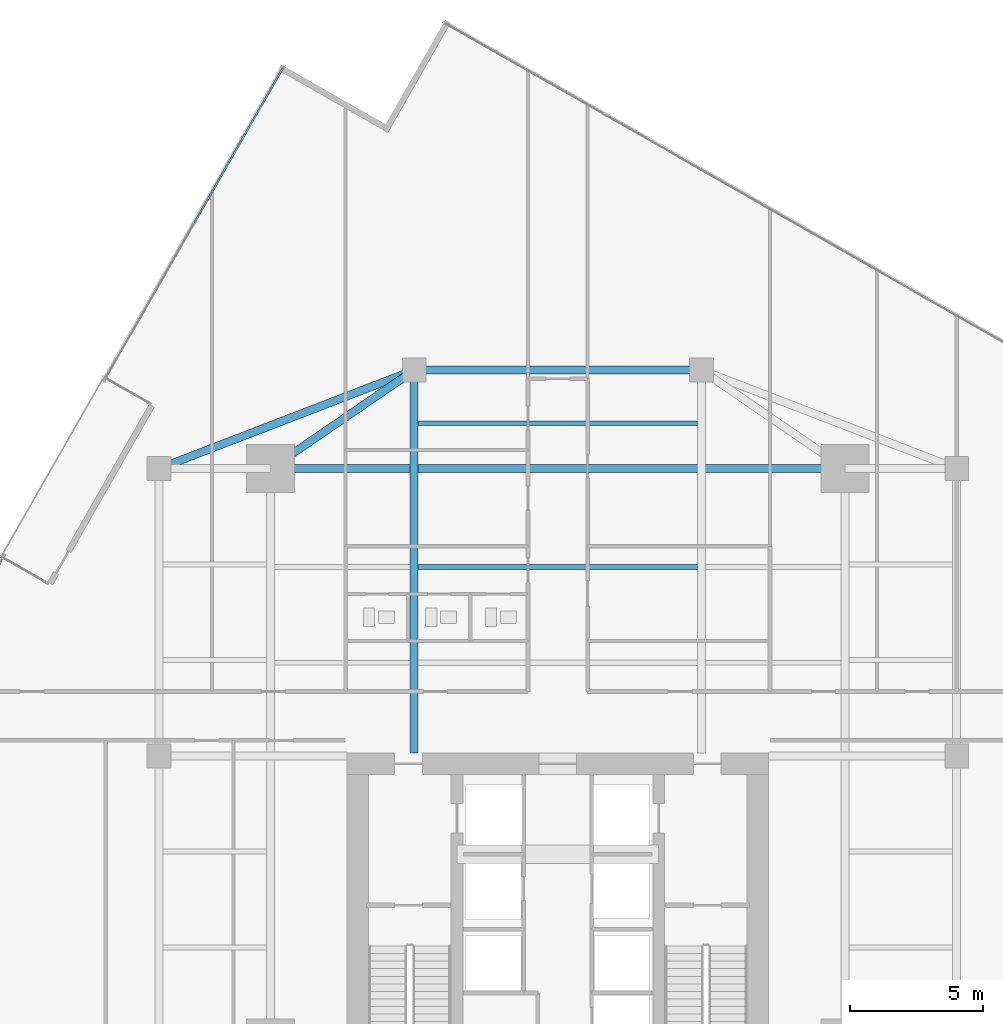
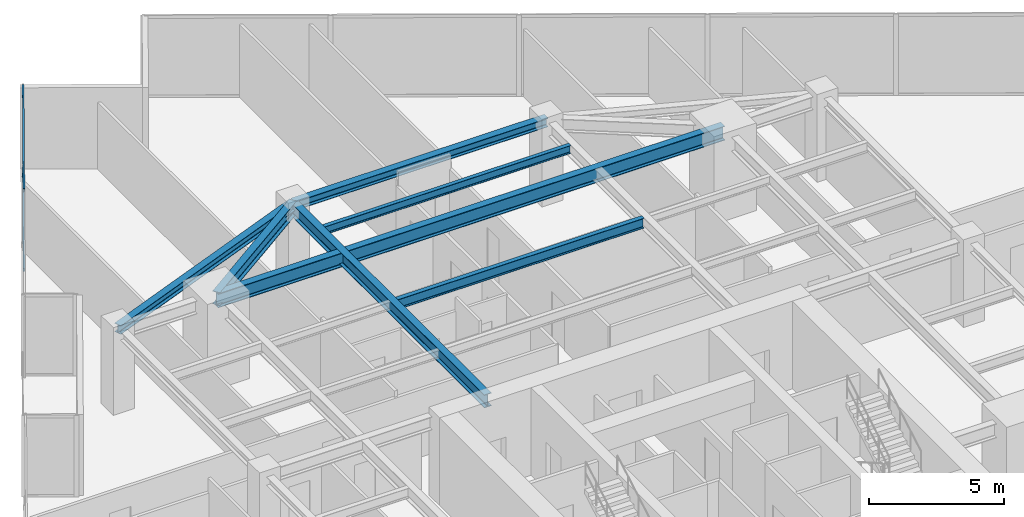
# One storey, part 14 of 24: 7 beams, 2 members, 1 element without a shape of its own.
"""IFC4 building model written with IfcOpenShell, lengths in metres."""

from ifc_helpers import new_model, si_unit, direction, frame, origin, origin_2d, place, context, subcontext, project, spatial, hollow_rectangle, i_section, extrude, source, transform, mapped, material, material_profile, profile_set, type_object, type_shapes, element, aggregate, save


model = new_model("IFC4")

# Units and contexts
model_context = context("Model", 3, precision=1e-05, world=origin(), true_north=direction((0.0, 1.0)))
body_context = subcontext(model_context, "Body", "Model", "MODEL_VIEW")
ifc_project = project(units=[si_unit("LENGTHUNIT", "METRE"), si_unit("AREAUNIT", "SQUARE_METRE"), si_unit("VOLUMEUNIT", "CUBIC_METRE"), si_unit("PLANEANGLEUNIT", "RADIAN"), si_unit("MASSUNIT", "GRAM", prefix="KILO")], contexts=[model_context])

# Site, building, storey
site_placement = place(None, origin())
site = spatial("IfcSite", under=ifc_project, at=site_placement, CompositionType="ELEMENT")
building_placement = place(site_placement, origin())
building = spatial("IfcBuilding", under=site, at=building_placement, Name="Krantzveldt Concourse Tower", CompositionType="ELEMENT")
storey_placement = place(building_placement, frame((0.0, 0.0, 162.0)))
storey = spatial("IfcBuildingStorey", under=building, at=storey_placement, Name="L39", CompositionType="ELEMENT", Elevation=162.0)

# Beams
ifc_material_1 = material(Name="Steel S355JR", Category="steel")
ifc_material_profile_1 = material_profile(ifc_material_1, i_section(OverallWidth=0.300048828125, OverallDepth=0.639892578125, WebThickness=0.013427734375, FlangeThickness=0.02587890625, FilletRadius=0.027099609375, at=origin_2d()), Name="Steel S355JR", Category="steel")
ifc_profile_set_1 = profile_set([ifc_material_profile_1], Name="Steel S355JR - HEA 650")
beam_type_1 = type_object("IfcBeamType", Name="BM-B-HEA650", PredefinedType="BEAM", material=ifc_profile_set_1)
shared_shape_1 = source(origin(), body_context, "Body", "SweptSolid", [
    extrude(i_section(OverallWidth=0.300048828125, OverallDepth=0.639892578125, WebThickness=0.013427734375, FlangeThickness=0.02587890625, FilletRadius=0.027099609375, at=origin_2d()), origin(), (0.0, 0.0, 1.0), 21.60009765625),
])
type_shapes(beam_type_1, [shared_shape_1])
beam_1_placement = place(storey_placement, frame((25.199951171875, 37.5, 3.35009765625), z_axis=(1.0, 0.0, 0.0), x_axis=(0.0, 1.0, 0.0)))
element("IfcBeam", 1, at=beam_1_placement, inside=storey, type_object=beam_type_1, Name="L39 Tower Girder BG-MN", PredefinedType="BEAM", context=body_context, shape_type="MappedRepresentation", body=[
    mapped(shared_shape_1, transform((0.0, 0.0, 0.0), x_axis=(1.0, 0.0, 0.0), y_axis=(0.0, 1.0, 0.0), z_axis=(0.0, 0.0, 1.0), scale=1.0)),
])
ifc_material_profile_2 = material_profile(ifc_material_1, i_section(OverallWidth=0.300048828125, OverallDepth=0.590087890625, WebThickness=0.012939453125, FlangeThickness=0.02490234375, FilletRadius=0.027099609375, at=origin_2d()), Name="Steel S355JR", Category="steel")
ifc_profile_set_2 = profile_set([ifc_material_profile_2], Name="Steel S355JR - HEA 600")
beam_type_2 = type_object("IfcBeamType", Name="BM-B-HEA600", PredefinedType="BEAM", material=ifc_profile_set_2)
shared_shape_2 = source(origin(), body_context, "Body", "SweptSolid", [
    extrude(i_section(OverallWidth=0.300048828125, OverallDepth=0.590087890625, WebThickness=0.012939453125, FlangeThickness=0.02490234375, FilletRadius=0.027099609375, at=origin_2d()), origin(), (0.0, 0.0, 1.0), 14.39990234375),
])
beam_2_placement = place(storey_placement, frame((30.60009765625, 26.800048828125, 3.375), z_axis=(0.0, 1.0, 0.0), x_axis=(-1.0, 0.0, 0.0)))
element("IfcBeam", 2, at=beam_2_placement, inside=storey, type_object=beam_type_2, Name="L39 Tower Girder BG-CNW", PredefinedType="BEAM", context=body_context, shape_type="MappedRepresentation", body=[
    mapped(shared_shape_2, transform((0.0, 0.0, 0.0), x_axis=(1.0, 0.0, 0.0), y_axis=(0.0, 1.0, 0.0), z_axis=(0.0, 0.0, 1.0), scale=1.0)),
])
shared_shape_3 = source(origin(), body_context, "Body", "SweptSolid", [
    extrude(i_section(OverallWidth=0.300048828125, OverallDepth=0.590087890625, WebThickness=0.012939453125, FlangeThickness=0.02490234375, FilletRadius=0.027099609375, at=origin_2d()), origin(), (0.0, 0.0, 1.0), 6.546142578125),
])
type_shapes(beam_type_2, [shared_shape_2, shared_shape_3])
beam_3_placement = place(storey_placement, frame((25.199951171875, 37.5, 3.375), z_axis=(0.824942999484, 0.565215930068, 0.0), x_axis=(-0.565215930068, 0.824942999484, 0.0)))
element("IfcBeam", 3, at=beam_3_placement, inside=storey, type_object=beam_type_2, Name="L39 Tower Girder BR-RL4", PredefinedType="BEAM", context=body_context, shape_type="MappedRepresentation", body=[
    mapped(shared_shape_3, transform((0.0, 0.0, 0.0), x_axis=(1.0, 0.0, 0.0), y_axis=(0.0, 1.0, 0.0), z_axis=(0.0, 0.0, 1.0), scale=1.0)),
])
ifc_material_profile_3 = material_profile(ifc_material_1, i_section(OverallWidth=0.18994140625, OverallDepth=0.449951171875, WebThickness=0.009521484375, FlangeThickness=0.0146484375, FilletRadius=0.02099609375, at=origin_2d()), Name="Steel S355JR", Category="steel")
ifc_profile_set_3 = profile_set([ifc_material_profile_3], Name="Steel S355JR - IPE 450")
beam_type_3 = type_object("IfcBeamType", Name="BM-J-IPE450", PredefinedType="JOIST", material=ifc_profile_set_3)
shared_shape_4 = source(origin(), body_context, "Body", "SweptSolid", [
    extrude(i_section(OverallWidth=0.18994140625, OverallDepth=0.449951171875, WebThickness=0.009521484375, FlangeThickness=0.0146484375, FilletRadius=0.02099609375, at=origin_2d()), origin(), (0.0, 0.0, 1.0), 10.5),
])
type_shapes(beam_type_3, [shared_shape_4])
beam_4_placement = place(storey_placement, frame((30.75, 33.800048828125, 3.445068359375), z_axis=(1.0, 0.0, 0.0), x_axis=(0.0, 1.0, 0.0)))
element("IfcBeam", 4, at=beam_4_placement, inside=storey, type_object=beam_type_3, Name="L39 Secondary Floor Joist JN-C2", PredefinedType="JOIST", context=body_context, shape_type="MappedRepresentation", body=[
    mapped(shared_shape_4, transform((0.0, 0.0, 0.0), x_axis=(1.0, 0.0, 0.0), y_axis=(0.0, 1.0, 0.0), z_axis=(0.0, 0.0, 1.0), scale=1.0)),
])
ifc_material_profile_4 = material_profile(ifc_material_1, i_section(OverallWidth=0.300048828125, OverallDepth=0.389892578125, WebThickness=0.010986328125, FlangeThickness=0.01904296875, FilletRadius=0.027099609375, at=origin_2d()), Name="Steel S355JR", Category="steel")
ifc_profile_set_4 = profile_set([ifc_material_profile_4], Name="Steel S355JR - HEA 400")
beam_type_4 = type_object("IfcBeamType", Name="BM-SP-HEA400", PredefinedType="SPANDREL", material=ifc_profile_set_4)
shared_shape_5 = source(origin(), body_context, "Body", "SweptSolid", [
    extrude(i_section(OverallWidth=0.300048828125, OverallDepth=0.389892578125, WebThickness=0.010986328125, FlangeThickness=0.01904296875, FilletRadius=0.027099609375, at=origin_2d()), origin(), (0.0, 0.0, 1.0), 10.288330078125),
])
beam_5_placement = place(storey_placement, frame((21.0, 37.5, 3.47509765625), z_axis=(0.933097690408, 0.359622997257, 0.0), x_axis=(-0.359622997257, 0.933097690408, 0.0)))
element("IfcBeam", 5, at=beam_5_placement, inside=storey, type_object=beam_type_4, Name="L39 Tower Girder SP-R03", PredefinedType="SPANDREL", context=body_context, shape_type="MappedRepresentation", body=[
    mapped(shared_shape_5, transform((0.0, 0.0, 0.0), x_axis=(1.0, 0.0, 0.0), y_axis=(0.0, 1.0, 0.0), z_axis=(0.0, 0.0, 1.0), scale=1.0)),
])
shared_shape_6 = source(origin(), body_context, "Body", "SweptSolid", [
    extrude(i_section(OverallWidth=0.300048828125, OverallDepth=0.389892578125, WebThickness=0.010986328125, FlangeThickness=0.01904296875, FilletRadius=0.027099609375, at=origin_2d()), origin(), (0.0, 0.0, 1.0), 10.7998046875),
])
type_shapes(beam_type_4, [shared_shape_5, shared_shape_6])
beam_6_placement = place(storey_placement, frame((30.60009765625, 41.199951171875, 3.47509765625), z_axis=(1.0, 0.0, 0.0), x_axis=(0.0, 1.0, 0.0)))
element("IfcBeam", 6, at=beam_6_placement, inside=storey, type_object=beam_type_4, Name="L39 Tower Girder SP-R04", PredefinedType="SPANDREL", context=body_context, shape_type="MappedRepresentation", body=[
    mapped(shared_shape_6, transform((0.0, 0.0, 0.0), x_axis=(1.0, 0.0, 0.0), y_axis=(0.0, 1.0, 0.0), z_axis=(0.0, 0.0, 1.0), scale=1.0)),
])
ifc_material_profile_5 = material_profile(ifc_material_1, i_section(OverallWidth=0.169921875, OverallDepth=0.360107421875, WebThickness=0.008056640625, FlangeThickness=0.0126953125, FilletRadius=0.01806640625, at=origin_2d()), Name="Steel S355JR", Category="steel")
ifc_profile_set_5 = profile_set([ifc_material_profile_5], Name="Steel S355JR - IPE 360")
beam_type_5 = type_object("IfcBeamType", Name="BM-J-IPE360", PredefinedType="JOIST", material=ifc_profile_set_5)
shared_shape_7 = source(origin(), body_context, "Body", "SweptSolid", [
    extrude(i_section(OverallWidth=0.169921875, OverallDepth=0.360107421875, WebThickness=0.008056640625, FlangeThickness=0.0126953125, FilletRadius=0.01806640625, at=origin_2d()), origin(), (0.0, 0.0, 1.0), 10.5),
])
type_shapes(beam_type_5, [shared_shape_7])
beam_7_placement = place(storey_placement, frame((30.75, 39.199951171875, 3.489990234375), z_axis=(1.0, 0.0, 0.0), x_axis=(0.0, 1.0, 0.0)))
element("IfcBeam", 7, at=beam_7_placement, inside=storey, type_object=beam_type_5, Name="L39 Secondary Floor Joist JN-C3", PredefinedType="JOIST", context=body_context, shape_type="MappedRepresentation", body=[
    mapped(shared_shape_7, transform((0.0, 0.0, 0.0), x_axis=(1.0, 0.0, 0.0), y_axis=(0.0, 1.0, 0.0), z_axis=(0.0, 0.0, 1.0), scale=1.0)),
])

# Curtain wall, members
ifc_material_2 = material(Name="Anodised aluminium 6063-T6", Category="aluminium")
curtain_wall_type = type_object("IfcCurtainWallType", Name="CW3", PredefinedType="USERDEFINED", material=ifc_material_2)
curtain_wall_placement = place(storey_placement, origin())
curtain_wall = element("IfcCurtainWall", 8, at=curtain_wall_placement, inside=storey, type_object=curtain_wall_type, Name="CW-L39-F01", ObjectType="UNITISED CURTAIN WALL", PredefinedType="USERDEFINED")
ifc_material_profile_6 = material_profile(ifc_material_2, hollow_rectangle(XDim=0.070068359375, YDim=0.139892578125, WallThickness=0.0048828125, at=origin_2d()), Name="Anodised aluminium 6063-T6", Category="aluminium")
ifc_profile_set_6 = profile_set([ifc_material_profile_6], Name="Anodised aluminium 6063-T6 - ALU-TRAN 140x70x5")
member_type = type_object("IfcMemberType", Name="CW-TRN-150", PredefinedType="USERDEFINED", material=ifc_profile_set_6)
shared_shape_8 = source(origin(), body_context, "Body", "SweptSolid", [
    extrude(hollow_rectangle(XDim=0.070068359375, YDim=0.139892578125, WallThickness=0.0048828125, at=origin_2d()), origin(), (0.0, 0.0, 1.0), 6.695068359375),
])
type_shapes(member_type, [shared_shape_8])
member_1_placement = place(storey_placement, frame((25.6640625, 52.568359375, 0.034912109375), z_axis=(-0.496233186751, -0.868189279113, 0.0), x_axis=(0.868189279113, -0.496233186751, 0.0)))
member_1 = element("IfcMember", 9, at=member_1_placement, type_object=member_type, Name="CW-Z34 transom 1.1", ObjectType="TRANSOM", PredefinedType="USERDEFINED", context=body_context, shape_type="MappedRepresentation", body=[
    mapped(shared_shape_8, transform((0.0, 0.0, 0.0), x_axis=(1.0, 0.0, 0.0), y_axis=(0.0, 1.0, 0.0), z_axis=(0.0, 0.0, 1.0), scale=1.0)),
])
member_2_placement = place(storey_placement, frame((25.6640625, 52.568359375, 3.635009765625), z_axis=(-0.496233186751, -0.868189279113, 0.0), x_axis=(0.868189279113, -0.496233186751, 0.0)))
member_2 = element("IfcMember", 10, at=member_2_placement, type_object=member_type, Name="CW-Z34 transom 1.2", ObjectType="TRANSOM", PredefinedType="USERDEFINED", context=body_context, shape_type="MappedRepresentation", body=[
    mapped(shared_shape_8, transform((0.0, 0.0, 0.0), x_axis=(1.0, 0.0, 0.0), y_axis=(0.0, 1.0, 0.0), z_axis=(0.0, 0.0, 1.0), scale=1.0)),
])
aggregate(curtain_wall, [member_1, member_2])

save(model, "model.ifc")
